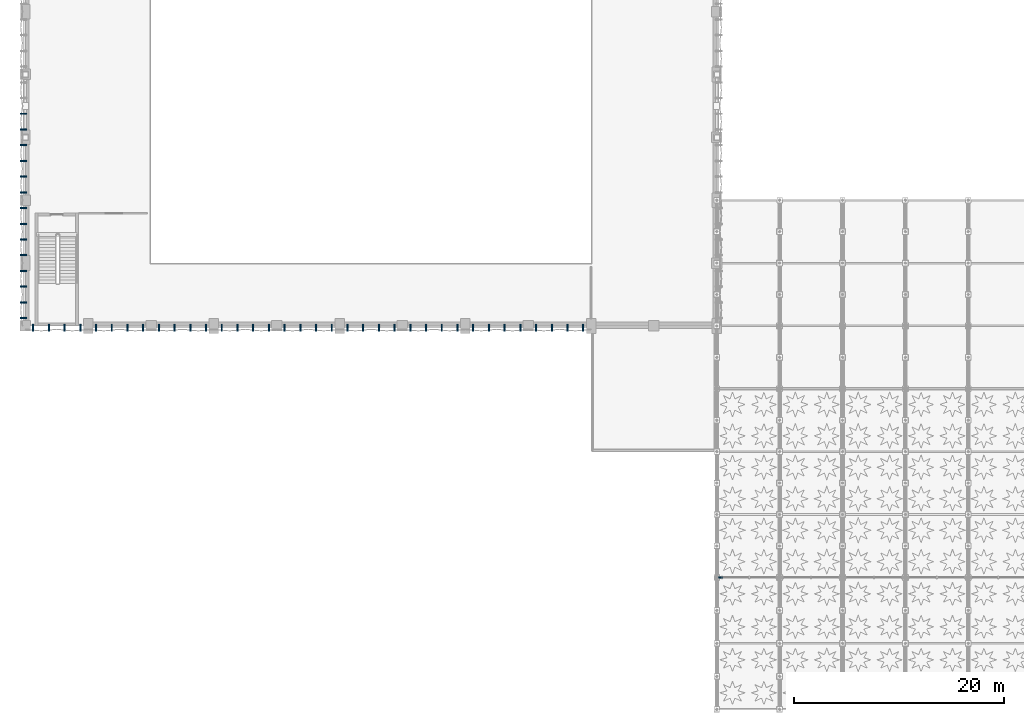
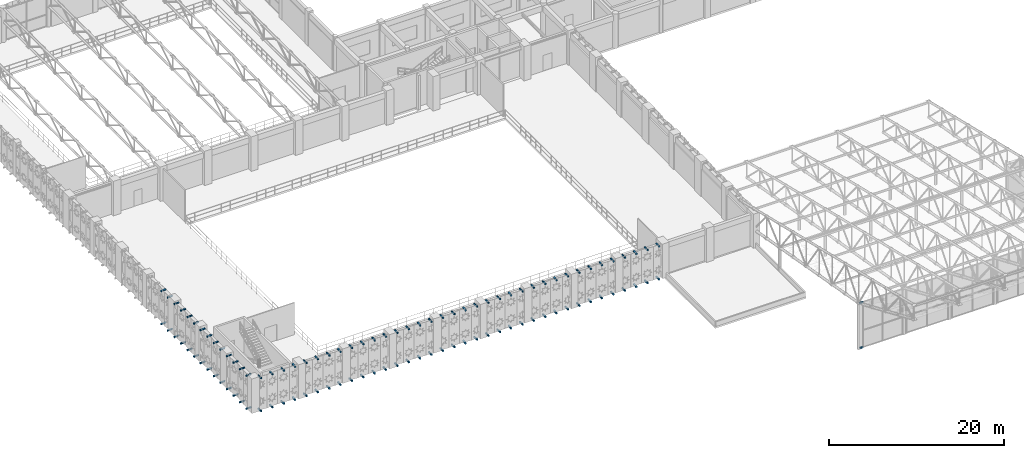
# One storey, part 108 of 123: 102 discrete accessories.
"""IFC4 building model written with IfcOpenShell, lengths in metres."""

from ifc_helpers import new_model, si_unit, direction, frame, origin, origin_2d, place, context, subcontext, project, spatial, rectangle, extrude, material, type_object, element, save


model = new_model("IFC4")

# Units and contexts
model_context = context("Model", 3, precision=1e-05, world=origin(), true_north=direction((0.0, 1.0)))
body_context = subcontext(model_context, "Body", "Model", "MODEL_VIEW")
ifc_project = project(units=[si_unit("LENGTHUNIT", "METRE"), si_unit("AREAUNIT", "SQUARE_METRE"), si_unit("VOLUMEUNIT", "CUBIC_METRE"), si_unit("PLANEANGLEUNIT", "RADIAN"), si_unit("MASSUNIT", "GRAM", prefix="KILO"), si_unit("THERMODYNAMICTEMPERATUREUNIT", "KELVIN"), si_unit("POWERUNIT", "WATT")], contexts=[model_context])

# Site, building, storey
site_placement = place(None, origin())
site = spatial("IfcSite", under=ifc_project, at=site_placement, CompositionType="ELEMENT")
building_placement = place(site_placement, origin())
building = spatial("IfcBuilding", under=site, at=building_placement, Name="Phaisarnlok Congress Hotel", CompositionType="ELEMENT")
storey_placement = place(building_placement, frame((0.0, 0.0, 15.0)))
storey = spatial("IfcBuildingStorey", under=building, at=storey_placement, Name="L03", CompositionType="ELEMENT", Elevation=15.0)

# Discrete accessories
ifc_material = material(Name="Steel S355", Category="steel")
discrete_accessory_type = type_object("IfcDiscreteAccessoryType", Name="ACC-BRK-STL", PredefinedType="BRACKET", material=ifc_material)
for number, where, z_axis, x_axis, name in (
    (1, (66.360107421875, 18.0, 0.0), (0.0, 0.0, 1.0), (1.0, 0.0, 0.0), "Curtain wall steel jamb spider bracket BK-01"),
    (2, (66.360107421875, 18.0, 6.27001953125), (0.0, 0.0, 1.0), (1.0, 0.0, 0.0), "Curtain wall steel jamb spider bracket BK-01"),
):
    element("IfcDiscreteAccessory", number, at=place(storey_placement, frame(where, z_axis=z_axis, x_axis=x_axis)), inside=storey, type_object=discrete_accessory_type, Name=name, PredefinedType="BRACKET", context=body_context, shape_type="SweptSolid", body=[
        extrude(rectangle(XDim=0.43994140625, YDim=0.159912109375, at=origin_2d()), origin(), (0.0, 0.0, 1.0), 0.139892578125),
    ])
for number, where, z_axis, x_axis, name in (
    (3, (-0.183837890625, 42.75, -0.18017578125), (0.0, 0.0, 1.0), (1.0, 0.0, 0.0), "Solar screen steel outrigger bracket BK-01"),
    (4, (-0.183837890625, 42.75, 4.419921875), (0.0, 0.0, 1.0), (1.0, 0.0, 0.0), "Solar screen steel outrigger bracket BK-01"),
    (5, (-0.183837890625, 44.25, -0.18017578125), (0.0, 0.0, 1.0), (1.0, 0.0, 0.0), "Solar screen steel outrigger bracket BK-01"),
    (6, (-0.183837890625, 44.25, 4.419921875), (0.0, 0.0, 1.0), (1.0, 0.0, 0.0), "Solar screen steel outrigger bracket BK-01"),
    (7, (-0.183837890625, 45.75, -0.18017578125), (0.0, 0.0, 1.0), (1.0, 0.0, 0.0), "Solar screen steel outrigger bracket BK-01"),
    (8, (-0.183837890625, 45.75, 4.419921875), (0.0, 0.0, 1.0), (1.0, 0.0, 0.0), "Solar screen steel outrigger bracket BK-01"),
    (9, (-0.183837890625, 47.25, -0.18017578125), (0.0, 0.0, 1.0), (1.0, 0.0, 0.0), "Solar screen steel outrigger bracket BK-01"),
    (10, (-0.183837890625, 47.25, 4.419921875), (0.0, 0.0, 1.0), (1.0, 0.0, 0.0), "Solar screen steel outrigger bracket BK-01"),
    (11, (-0.183837890625, 48.75, -0.18017578125), (0.0, 0.0, 1.0), (1.0, 0.0, 0.0), "Solar screen steel outrigger bracket BK-01"),
    (12, (-0.183837890625, 48.75, 4.419921875), (0.0, 0.0, 1.0), (1.0, 0.0, 0.0), "Solar screen steel outrigger bracket BK-01"),
    (13, (-0.183837890625, 50.25, -0.18017578125), (0.0, 0.0, 1.0), (1.0, 0.0, 0.0), "Solar screen steel outrigger bracket BK-01"),
    (14, (-0.183837890625, 50.25, 4.419921875), (0.0, 0.0, 1.0), (1.0, 0.0, 0.0), "Solar screen steel outrigger bracket BK-01"),
    (15, (-0.183837890625, 51.75, -0.18017578125), (0.0, 0.0, 1.0), (1.0, 0.0, 0.0), "Solar screen steel outrigger bracket BK-01"),
    (16, (-0.183837890625, 51.75, 4.419921875), (0.0, 0.0, 1.0), (1.0, 0.0, 0.0), "Solar screen steel outrigger bracket BK-01"),
    (17, (-0.183837890625, 53.25, -0.18017578125), (0.0, 0.0, 1.0), (1.0, 0.0, 0.0), "Solar screen steel outrigger bracket BK-01"),
    (18, (-0.183837890625, 53.25, 4.419921875), (0.0, 0.0, 1.0), (1.0, 0.0, 0.0), "Solar screen steel outrigger bracket BK-01"),
    (19, (-0.183837890625, 54.75, -0.18017578125), (0.0, 0.0, 1.0), (1.0, 0.0, 0.0), "Solar screen steel outrigger bracket BK-01"),
    (20, (-0.183837890625, 54.75, 4.419921875), (0.0, 0.0, 1.0), (1.0, 0.0, 0.0), "Solar screen steel outrigger bracket BK-01"),
    (21, (-0.183837890625, 56.25, -0.18017578125), (0.0, 0.0, 1.0), (1.0, 0.0, 0.0), "Solar screen steel outrigger bracket BK-01"),
    (22, (-0.183837890625, 56.25, 4.419921875), (0.0, 0.0, 1.0), (1.0, 0.0, 0.0), "Solar screen steel outrigger bracket BK-01"),
    (23, (-0.183837890625, 57.75, -0.18017578125), (0.0, 0.0, 1.0), (1.0, 0.0, 0.0), "Solar screen steel outrigger bracket BK-01"),
    (24, (-0.183837890625, 57.75, 4.419921875), (0.0, 0.0, 1.0), (1.0, 0.0, 0.0), "Solar screen steel outrigger bracket BK-01"),
    (25, (-0.183837890625, 59.25, -0.18017578125), (0.0, 0.0, 1.0), (1.0, 0.0, 0.0), "Solar screen steel outrigger bracket BK-01"),
    (26, (-0.183837890625, 59.25, 4.419921875), (0.0, 0.0, 1.0), (1.0, 0.0, 0.0), "Solar screen steel outrigger bracket BK-01"),
    (27, (-0.183837890625, 60.75, -0.18017578125), (0.0, 0.0, 1.0), (1.0, 0.0, 0.0), "Solar screen steel outrigger bracket BK-01"),
    (28, (-0.183837890625, 60.75, 4.419921875), (0.0, 0.0, 1.0), (1.0, 0.0, 0.0), "Solar screen steel outrigger bracket BK-01"),
    (29, (-0.183837890625, 62.25, -0.18017578125), (0.0, 0.0, 1.0), (1.0, 0.0, 0.0), "Solar screen steel outrigger bracket BK-01"),
    (30, (-0.183837890625, 62.25, 4.419921875), (0.0, 0.0, 1.0), (1.0, 0.0, 0.0), "Solar screen steel outrigger bracket BK-01"),
):
    element("IfcDiscreteAccessory", number, at=place(storey_placement, frame(where, z_axis=z_axis, x_axis=x_axis)), inside=storey, type_object=discrete_accessory_type, Name=name, PredefinedType="BRACKET", context=body_context, shape_type="SweptSolid", body=[
        extrude(rectangle(XDim=0.647705078125, YDim=0.139892578125, at=origin_2d()), origin(), (0.0, 0.0, 1.0), 0.159912109375),
    ])
for number, where, z_axis, x_axis, name in (
    (31, (0.75, 41.816162109375, -0.18017578125), (0.0, 0.0, 1.0), (1.0, 0.0, 0.0), "Solar screen steel outrigger bracket BK-01"),
    (32, (0.75, 41.816162109375, 4.419921875), (0.0, 0.0, 1.0), (1.0, 0.0, 0.0), "Solar screen steel outrigger bracket BK-01"),
    (33, (2.25, 41.816162109375, -0.18017578125), (0.0, 0.0, 1.0), (1.0, 0.0, 0.0), "Solar screen steel outrigger bracket BK-01"),
    (34, (2.25, 41.816162109375, 4.419921875), (0.0, 0.0, 1.0), (1.0, 0.0, 0.0), "Solar screen steel outrigger bracket BK-01"),
    (35, (3.75, 41.816162109375, -0.18017578125), (0.0, 0.0, 1.0), (1.0, 0.0, 0.0), "Solar screen steel outrigger bracket BK-01"),
    (36, (3.75, 41.816162109375, 4.419921875), (0.0, 0.0, 1.0), (1.0, 0.0, 0.0), "Solar screen steel outrigger bracket BK-01"),
    (37, (5.25, 41.816162109375, -0.18017578125), (0.0, 0.0, 1.0), (1.0, 0.0, 0.0), "Solar screen steel outrigger bracket BK-01"),
    (38, (5.25, 41.816162109375, 4.419921875), (0.0, 0.0, 1.0), (1.0, 0.0, 0.0), "Solar screen steel outrigger bracket BK-01"),
    (39, (6.75, 41.816162109375, -0.18017578125), (0.0, 0.0, 1.0), (1.0, 0.0, 0.0), "Solar screen steel outrigger bracket BK-01"),
    (40, (6.75, 41.816162109375, 4.419921875), (0.0, 0.0, 1.0), (1.0, 0.0, 0.0), "Solar screen steel outrigger bracket BK-01"),
    (41, (8.25, 41.816162109375, -0.18017578125), (0.0, 0.0, 1.0), (1.0, 0.0, 0.0), "Solar screen steel outrigger bracket BK-01"),
    (42, (8.25, 41.816162109375, 4.419921875), (0.0, 0.0, 1.0), (1.0, 0.0, 0.0), "Solar screen steel outrigger bracket BK-01"),
    (43, (9.75, 41.816162109375, -0.18017578125), (0.0, 0.0, 1.0), (1.0, 0.0, 0.0), "Solar screen steel outrigger bracket BK-01"),
    (44, (9.75, 41.816162109375, 4.419921875), (0.0, 0.0, 1.0), (1.0, 0.0, 0.0), "Solar screen steel outrigger bracket BK-01"),
    (45, (11.25, 41.816162109375, -0.18017578125), (0.0, 0.0, 1.0), (1.0, 0.0, 0.0), "Solar screen steel outrigger bracket BK-01"),
    (46, (11.25, 41.816162109375, 4.419921875), (0.0, 0.0, 1.0), (1.0, 0.0, 0.0), "Solar screen steel outrigger bracket BK-01"),
    (47, (12.75, 41.816162109375, -0.18017578125), (0.0, 0.0, 1.0), (1.0, 0.0, 0.0), "Solar screen steel outrigger bracket BK-01"),
    (48, (12.75, 41.816162109375, 4.419921875), (0.0, 0.0, 1.0), (1.0, 0.0, 0.0), "Solar screen steel outrigger bracket BK-01"),
    (49, (14.25, 41.816162109375, -0.18017578125), (0.0, 0.0, 1.0), (1.0, 0.0, 0.0), "Solar screen steel outrigger bracket BK-01"),
    (50, (14.25, 41.816162109375, 4.419921875), (0.0, 0.0, 1.0), (1.0, 0.0, 0.0), "Solar screen steel outrigger bracket BK-01"),
    (51, (15.75, 41.816162109375, -0.18017578125), (0.0, 0.0, 1.0), (1.0, 0.0, 0.0), "Solar screen steel outrigger bracket BK-01"),
    (52, (15.75, 41.816162109375, 4.419921875), (0.0, 0.0, 1.0), (1.0, 0.0, 0.0), "Solar screen steel outrigger bracket BK-01"),
    (53, (17.25, 41.816162109375, -0.18017578125), (0.0, 0.0, 1.0), (1.0, 0.0, 0.0), "Solar screen steel outrigger bracket BK-01"),
    (54, (17.25, 41.816162109375, 4.419921875), (0.0, 0.0, 1.0), (1.0, 0.0, 0.0), "Solar screen steel outrigger bracket BK-01"),
    (55, (18.75, 41.816162109375, -0.18017578125), (0.0, 0.0, 1.0), (1.0, 0.0, 0.0), "Solar screen steel outrigger bracket BK-01"),
    (56, (18.75, 41.816162109375, 4.419921875), (0.0, 0.0, 1.0), (1.0, 0.0, 0.0), "Solar screen steel outrigger bracket BK-01"),
    (57, (20.25, 41.816162109375, -0.18017578125), (0.0, 0.0, 1.0), (1.0, 0.0, 0.0), "Solar screen steel outrigger bracket BK-01"),
    (58, (20.25, 41.816162109375, 4.419921875), (0.0, 0.0, 1.0), (1.0, 0.0, 0.0), "Solar screen steel outrigger bracket BK-01"),
    (59, (21.75, 41.816162109375, -0.18017578125), (0.0, 0.0, 1.0), (1.0, 0.0, 0.0), "Solar screen steel outrigger bracket BK-01"),
    (60, (21.75, 41.816162109375, 4.419921875), (0.0, 0.0, 1.0), (1.0, 0.0, 0.0), "Solar screen steel outrigger bracket BK-01"),
    (61, (23.25, 41.816162109375, -0.18017578125), (0.0, 0.0, 1.0), (1.0, 0.0, 0.0), "Solar screen steel outrigger bracket BK-01"),
    (62, (23.25, 41.816162109375, 4.419921875), (0.0, 0.0, 1.0), (1.0, 0.0, 0.0), "Solar screen steel outrigger bracket BK-01"),
    (63, (24.75, 41.816162109375, -0.18017578125), (0.0, 0.0, 1.0), (1.0, 0.0, 0.0), "Solar screen steel outrigger bracket BK-01"),
    (64, (24.75, 41.816162109375, 4.419921875), (0.0, 0.0, 1.0), (1.0, 0.0, 0.0), "Solar screen steel outrigger bracket BK-01"),
    (65, (26.25, 41.816162109375, -0.18017578125), (0.0, 0.0, 1.0), (1.0, 0.0, 0.0), "Solar screen steel outrigger bracket BK-01"),
    (66, (26.25, 41.816162109375, 4.419921875), (0.0, 0.0, 1.0), (1.0, 0.0, 0.0), "Solar screen steel outrigger bracket BK-01"),
    (67, (27.75, 41.816162109375, -0.18017578125), (0.0, 0.0, 1.0), (1.0, 0.0, 0.0), "Solar screen steel outrigger bracket BK-01"),
    (68, (27.75, 41.816162109375, 4.419921875), (0.0, 0.0, 1.0), (1.0, 0.0, 0.0), "Solar screen steel outrigger bracket BK-01"),
    (69, (29.25, 41.816162109375, -0.18017578125), (0.0, 0.0, 1.0), (1.0, 0.0, 0.0), "Solar screen steel outrigger bracket BK-01"),
    (70, (29.25, 41.816162109375, 4.419921875), (0.0, 0.0, 1.0), (1.0, 0.0, 0.0), "Solar screen steel outrigger bracket BK-01"),
    (71, (30.75, 41.816162109375, -0.18017578125), (0.0, 0.0, 1.0), (1.0, 0.0, 0.0), "Solar screen steel outrigger bracket BK-01"),
    (72, (30.75, 41.816162109375, 4.419921875), (0.0, 0.0, 1.0), (1.0, 0.0, 0.0), "Solar screen steel outrigger bracket BK-01"),
    (73, (32.25, 41.816162109375, -0.18017578125), (0.0, 0.0, 1.0), (1.0, 0.0, 0.0), "Solar screen steel outrigger bracket BK-01"),
    (74, (32.25, 41.816162109375, 4.419921875), (0.0, 0.0, 1.0), (1.0, 0.0, 0.0), "Solar screen steel outrigger bracket BK-01"),
    (75, (33.75, 41.816162109375, -0.18017578125), (0.0, 0.0, 1.0), (1.0, 0.0, 0.0), "Solar screen steel outrigger bracket BK-01"),
    (76, (33.75, 41.816162109375, 4.419921875), (0.0, 0.0, 1.0), (1.0, 0.0, 0.0), "Solar screen steel outrigger bracket BK-01"),
    (77, (35.25, 41.816162109375, -0.18017578125), (0.0, 0.0, 1.0), (1.0, 0.0, 0.0), "Solar screen steel outrigger bracket BK-01"),
    (78, (35.25, 41.816162109375, 4.419921875), (0.0, 0.0, 1.0), (1.0, 0.0, 0.0), "Solar screen steel outrigger bracket BK-01"),
    (79, (36.75, 41.816162109375, -0.18017578125), (0.0, 0.0, 1.0), (1.0, 0.0, 0.0), "Solar screen steel outrigger bracket BK-01"),
    (80, (36.75, 41.816162109375, 4.419921875), (0.0, 0.0, 1.0), (1.0, 0.0, 0.0), "Solar screen steel outrigger bracket BK-01"),
    (81, (38.25, 41.816162109375, -0.18017578125), (0.0, 0.0, 1.0), (1.0, 0.0, 0.0), "Solar screen steel outrigger bracket BK-01"),
    (82, (38.25, 41.816162109375, 4.419921875), (0.0, 0.0, 1.0), (1.0, 0.0, 0.0), "Solar screen steel outrigger bracket BK-01"),
    (83, (39.75, 41.816162109375, -0.18017578125), (0.0, 0.0, 1.0), (1.0, 0.0, 0.0), "Solar screen steel outrigger bracket BK-01"),
    (84, (39.75, 41.816162109375, 4.419921875), (0.0, 0.0, 1.0), (1.0, 0.0, 0.0), "Solar screen steel outrigger bracket BK-01"),
    (85, (41.25, 41.816162109375, -0.18017578125), (0.0, 0.0, 1.0), (1.0, 0.0, 0.0), "Solar screen steel outrigger bracket BK-01"),
    (86, (41.25, 41.816162109375, 4.419921875), (0.0, 0.0, 1.0), (1.0, 0.0, 0.0), "Solar screen steel outrigger bracket BK-01"),
    (87, (42.75, 41.816162109375, -0.18017578125), (0.0, 0.0, 1.0), (1.0, 0.0, 0.0), "Solar screen steel outrigger bracket BK-01"),
    (88, (42.75, 41.816162109375, 4.419921875), (0.0, 0.0, 1.0), (1.0, 0.0, 0.0), "Solar screen steel outrigger bracket BK-01"),
    (89, (44.25, 41.816162109375, -0.18017578125), (0.0, 0.0, 1.0), (1.0, 0.0, 0.0), "Solar screen steel outrigger bracket BK-01"),
    (90, (44.25, 41.816162109375, 4.419921875), (0.0, 0.0, 1.0), (1.0, 0.0, 0.0), "Solar screen steel outrigger bracket BK-01"),
    (91, (45.75, 41.816162109375, -0.18017578125), (0.0, 0.0, 1.0), (1.0, 0.0, 0.0), "Solar screen steel outrigger bracket BK-01"),
    (92, (45.75, 41.816162109375, 4.419921875), (0.0, 0.0, 1.0), (1.0, 0.0, 0.0), "Solar screen steel outrigger bracket BK-01"),
    (93, (47.25, 41.816162109375, -0.18017578125), (0.0, 0.0, 1.0), (1.0, 0.0, 0.0), "Solar screen steel outrigger bracket BK-01"),
    (94, (47.25, 41.816162109375, 4.419921875), (0.0, 0.0, 1.0), (1.0, 0.0, 0.0), "Solar screen steel outrigger bracket BK-01"),
    (95, (48.75, 41.816162109375, -0.18017578125), (0.0, 0.0, 1.0), (1.0, 0.0, 0.0), "Solar screen steel outrigger bracket BK-01"),
    (96, (48.75, 41.816162109375, 4.419921875), (0.0, 0.0, 1.0), (1.0, 0.0, 0.0), "Solar screen steel outrigger bracket BK-01"),
    (97, (50.25, 41.816162109375, -0.18017578125), (0.0, 0.0, 1.0), (1.0, 0.0, 0.0), "Solar screen steel outrigger bracket BK-01"),
    (98, (50.25, 41.816162109375, 4.419921875), (0.0, 0.0, 1.0), (1.0, 0.0, 0.0), "Solar screen steel outrigger bracket BK-01"),
    (99, (51.75, 41.816162109375, -0.18017578125), (0.0, 0.0, 1.0), (1.0, 0.0, 0.0), "Solar screen steel outrigger bracket BK-01"),
    (100, (51.75, 41.816162109375, 4.419921875), (0.0, 0.0, 1.0), (1.0, 0.0, 0.0), "Solar screen steel outrigger bracket BK-01"),
    (101, (53.25, 41.816162109375, -0.18017578125), (0.0, 0.0, 1.0), (1.0, 0.0, 0.0), "Solar screen steel outrigger bracket BK-01"),
    (102, (53.25, 41.816162109375, 4.419921875), (0.0, 0.0, 1.0), (1.0, 0.0, 0.0), "Solar screen steel outrigger bracket BK-01"),
):
    element("IfcDiscreteAccessory", number, at=place(storey_placement, frame(where, z_axis=z_axis, x_axis=x_axis)), inside=storey, type_object=discrete_accessory_type, Name=name, PredefinedType="BRACKET", context=body_context, shape_type="SweptSolid", body=[
        extrude(rectangle(XDim=0.139892578125, YDim=0.647705078125, at=origin_2d()), origin(), (0.0, 0.0, 1.0), 0.159912109375),
    ])

save(model, "model.ifc")
